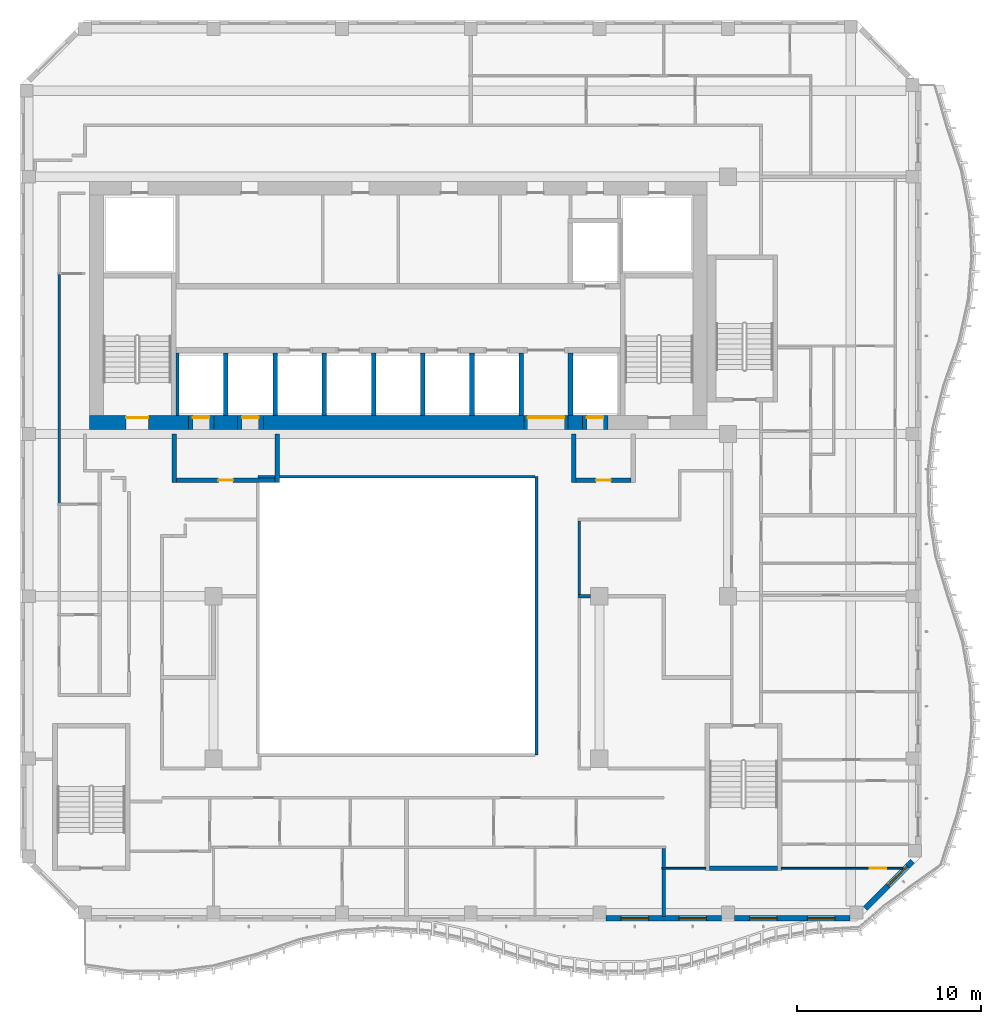
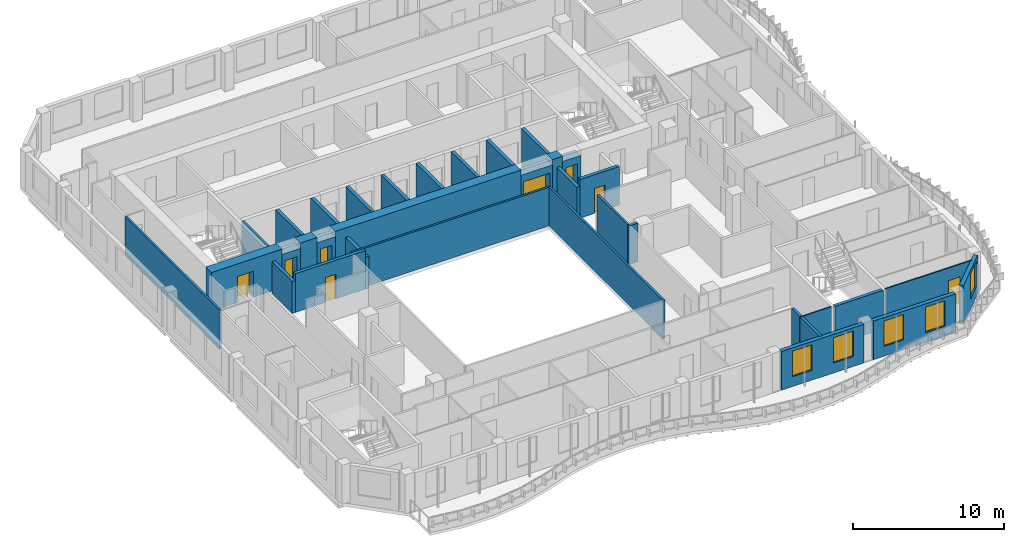
# One storey, part 4 of 18: 35 walls, 8 doors, 5 windows, 13 openings.
"""IFC4 building model written with IfcOpenShell, lengths in metres."""

from ifc_helpers import new_model, si_unit, direction, frame, frame_2d, origin, place, context, subcontext, project, spatial, rectangle, extrude, source, transform, mapped, material, layer, layer_set, type_object, element, fill, save


model = new_model("IFC4")

# Units and contexts
model_context = context("Model", 3, precision=1e-05, world=origin(), true_north=direction((0.0, 1.0)))
body_context = subcontext(model_context, "Body", "Model", "MODEL_VIEW")
ifc_project = project(units=[si_unit("LENGTHUNIT", "METRE"), si_unit("AREAUNIT", "SQUARE_METRE"), si_unit("VOLUMEUNIT", "CUBIC_METRE"), si_unit("PLANEANGLEUNIT", "RADIAN"), si_unit("MASSUNIT", "GRAM", prefix="KILO")], contexts=[model_context])

# Site, building, storey
site_placement = place(None, origin())
site = spatial("IfcSite", under=ifc_project, at=site_placement, CompositionType="ELEMENT")
building_placement = place(site_placement, origin())
building = spatial("IfcBuilding", under=site, at=building_placement, Name="Kilnfold Tower and Market Hall", CompositionType="ELEMENT")
storey_placement = place(building_placement, frame((0.0, 0.0, 249.199951171875)))
storey = spatial("IfcBuildingStorey", under=building, at=storey_placement, Name="L60", CompositionType="ELEMENT", Elevation=249.199951171875)

# Walls
ifc_material_1 = material(Name="Fire-resisting glazed screen")
ifc_layer_1 = layer(ifc_material_1, 0.14990234375)
ifc_layer_set_1 = layer_set([ifc_layer_1], Name="Fire-resisting glazed screen")
wall_type_1 = type_object("IfcWallType", Name="WALL ATRIUM 150", PredefinedType="PARTITIONING", material=ifc_layer_set_1)
wall_1_placement = place(storey_placement, frame((-6.574951171875, 5.675048828125, 0.0), z_axis=(0.0, 0.0, 1.0), x_axis=(1.0, 0.0, 0.0)))
element("IfcWall", 1, at=wall_1_placement, inside=storey, type_object=wall_type_1, Name="Partition LY37.109", PredefinedType="PARTITIONING", context=body_context, shape_type="SweptSolid", body=[
    extrude(rectangle(XDim=15.074951171875, YDim=0.14990234375, at=frame_2d((7.53759765625, 0.0))), origin(), (0.0, 0.0, 1.0), 3.1201171875),
])
wall_2_placement = place(storey_placement, frame((8.574951171875, 5.675048828125, 0.0), z_axis=(0.0, 0.0, 1.0), x_axis=(0.0, -1.0, 0.0)))
element("IfcWall", 2, at=wall_2_placement, inside=storey, type_object=wall_type_1, Name="Partition LY37.110", PredefinedType="PARTITIONING", context=body_context, shape_type="SweptSolid", body=[
    extrude(rectangle(XDim=15.150146484375, YDim=0.14990234375, at=frame_2d((7.5751953125, 0.0))), origin(), (0.0, 0.0, 1.0), 3.1201171875),
])
ifc_material_2 = material(Name="Gypsum board on steel studs", Category="steel")
ifc_layer_2 = layer(ifc_material_2, 0.14990234375)
ifc_layer_set_2 = layer_set([ifc_layer_2], Name="Gypsum board on steel studs")
wall_type_2 = type_object("IfcWallType", Name="WALL CORRIDOR 150", PredefinedType="PARTITIONING", material=ifc_layer_set_2)
wall_3_placement = place(storey_placement, frame((-17.39990234375, 4.214111328125, 0.0), z_axis=(0.0, 0.0, 1.0), x_axis=(0.0, 1.0, 0.0)))
element("IfcWall", 3, at=wall_3_placement, inside=storey, type_object=wall_type_2, Name="Partition LY37.4", PredefinedType="PARTITIONING", context=body_context, shape_type="SweptSolid", body=[
    extrude(rectangle(XDim=12.476806640625, YDim=0.14990234375, at=frame_2d((6.23828125, 0.0))), origin(), (0.0, 0.0, 1.0), 3.1201171875),
])
wall_4_placement = place(storey_placement, frame((10.89990234375, -0.742919921875, 0.0), z_axis=(0.0, 0.0, 1.0), x_axis=(0.0, 1.0, 0.0)))
element("IfcWall", 4, at=wall_4_placement, inside=storey, type_object=wall_type_2, Name="Partition LY37.49", PredefinedType="PARTITIONING", context=body_context, shape_type="SweptSolid", body=[
    extrude(rectangle(XDim=4.017822265625, YDim=0.14990234375, at=frame_2d((2.0087890625, 0.0))), origin(), (0.0, 0.0, 1.0), 3.1201171875),
])

# Wall, opening, door
ifc_material_3 = material(Name="Gypsum board on steel studs", Category="steel")
ifc_layer_3 = layer(ifc_material_3, 0.10009765625)
ifc_layer_set_3 = layer_set([ifc_layer_3], Name="Gypsum board on steel studs")
wall_type_3 = type_object("IfcWallType", Name="WALL PARTITION 100", PredefinedType="PARTITIONING", material=ifc_layer_set_3)
wall_5_placement = place(storey_placement, frame((21.89990234375, -15.6298828125, 0.0), z_axis=(0.0, 0.0, 1.0), x_axis=(1.0, 0.0, 0.0)))
wall_5 = element("IfcWall", 5, at=wall_5_placement, inside=storey, type_object=wall_type_3, Name="Partition LY37.70", PredefinedType="PARTITIONING", context=body_context, shape_type="SweptSolid", body=[
    extrude(rectangle(XDim=6.6162109375, YDim=0.10009765625, at=frame_2d((3.30810546875, 0.0))), origin(), (0.0, 0.0, 1.0), 3.1201171875),
])
opening_1_placement = place(wall_5_placement, frame((4.81396484375, 0.0, 0.0)))
opening_1 = element("IfcOpeningElement", 6, at=opening_1_placement, cuts=wall_5, Name="Opening D2", PredefinedType="OPENING", context=body_context, shape_type="SweptSolid", body=[
    extrude(rectangle(XDim=0.89990234375, YDim=2.10009765625, at=frame_2d((0.449951171875, 1.050048828125))), frame((0.0, 0.06005859375, 0.0), z_axis=(0.0, -1.0, 0.0), x_axis=(1.0, 0.0, 0.0)), (0.0, 0.0, 1.0), 0.1201171875),
])
ifc_material_4 = material(Name="Timber veneer door leaf in steel frame", Category="steel")
door_type_1 = type_object("IfcDoorType", Name="DOOR ROOM 900 X2100", OperationType="NOTDEFINED", PredefinedType="DOOR", material=ifc_material_4)
door_1_placement = place(opening_1_placement, origin())
door_1 = element("IfcDoor", 7, at=door_1_placement, inside=storey, type_object=door_type_1, Name="Door D2", OperationType="SINGLE_SWING_LEFT", OverallHeight=2.10009765625, OverallWidth=0.89990234375, PredefinedType="DOOR", context=body_context, shape_type="SweptSolid", body=[
    extrude(rectangle(XDim=0.89990234375, YDim=2.10009765625, at=frame_2d((0.449951171875, 1.050048828125))), frame((0.0, 0.02490234375, 0.0), z_axis=(0.0, -1.0, 0.0), x_axis=(1.0, 0.0, 0.0)), (0.0, 0.0, 1.0), 0.050048828125),
])
fill(opening_1, door_1)

# Walls
wall_6_placement = place(storey_placement, frame((15.39990234375, -15.6298828125, 0.0), z_axis=(0.0, 0.0, 1.0), x_axis=(1.0, 0.0, 0.0)))
element("IfcWall", 8, at=wall_6_placement, inside=storey, type_object=wall_type_3, Name="Partition LY37.71", PredefinedType="PARTITIONING", context=body_context, shape_type="SweptSolid", body=[
    extrude(rectangle(XDim=2.400146484375, YDim=0.10009765625, at=frame_2d((1.2001953125, 0.0))), origin(), (0.0, 0.0, 1.0), 3.1201171875),
])
ifc_material_5 = material(Name="Gypsum board on steel studs", Category="steel")
ifc_layer_4 = layer(ifc_material_5, 0.199951171875)
ifc_layer_set_4 = layer_set([ifc_layer_4], Name="Gypsum board on steel studs")
wall_type_4 = type_object("IfcWallType", Name="WALL PARTY 200", PredefinedType="PARTITIONING", material=ifc_layer_set_4)
wall_7_placement = place(storey_placement, frame((15.5, -18.25, 0.0), z_axis=(0.0, 0.0, 1.0), x_axis=(0.0, 1.0, 0.0)))
element("IfcWall", 9, at=wall_7_placement, inside=storey, type_object=wall_type_4, Name="Partition LY37.68", PredefinedType="PARTITIONING", context=body_context, shape_type="SweptSolid", body=[
    extrude(rectangle(XDim=2.580078125, YDim=0.199951171875, at=frame_2d((1.2900390625, 0.0))), origin(), (0.0, 0.0, 1.0), 3.1201171875),
])
wall_8_placement = place(storey_placement, frame((15.5, -15.590087890625, 0.0), z_axis=(0.0, 0.0, 1.0), x_axis=(0.0, 1.0, 0.0)))
element("IfcWall", 10, at=wall_8_placement, inside=storey, type_object=wall_type_4, Name="Partition LY37.69", PredefinedType="PARTITIONING", context=body_context, shape_type="SweptSolid", body=[
    extrude(rectangle(XDim=1.0380859375, YDim=0.199951171875, at=frame_2d((0.51904296875, 0.0))), origin(), (0.0, 0.0, 1.0), 3.1201171875),
])
wall_9_placement = place(storey_placement, frame((10.826904296875, -0.8330078125, 0.0), z_axis=(0.0, 0.0, 1.0), x_axis=(1.0, 0.0, 0.0)))
element("IfcWall", 11, at=wall_9_placement, inside=storey, type_object=wall_type_4, Name="Partition LY37.103", PredefinedType="PARTITIONING", context=body_context, shape_type="SweptSolid", body=[
    extrude(rectangle(XDim=0.697998046875, YDim=0.199951171875, at=frame_2d((0.34912109375, 0.0))), origin(), (0.0, 0.0, 1.0), 3.1201171875),
])
ifc_material_6 = material(Name="Concrete C60", Category="concrete")
ifc_layer_5 = layer(ifc_material_6, 0.25)
ifc_layer_set_5 = layer_set([ifc_layer_5], Name="Concrete C60")
wall_type_5 = type_object("IfcWallType", Name="CORE WALL 250 C60", PredefinedType="SHEAR", material=ifc_layer_set_5)
shared_shape_1 = source(origin(), body_context, "Body", "SweptSolid", [
    extrude(rectangle(XDim=3.699951171875, YDim=0.25, at=frame_2d((1.85009765625, 0.0))), origin(), (0.0, 0.0, 1.0), 3.1201171875),
])
wall_10_placement = place(storey_placement, frame((18.0, -15.625, 0.0), z_axis=(0.0, 0.0, 1.0), x_axis=(1.0, 0.0, 0.0)))
element("IfcWall", 12, at=wall_10_placement, inside=storey, type_object=wall_type_5, Name="Stair enclosure ST4", PredefinedType="SHEAR", context=body_context, shape_type="MappedRepresentation", body=[
    mapped(shared_shape_1, transform((0.0, 0.0, 0.0))),
])

# Wall, opening, door
ifc_material_7 = material(Name="Concrete C60", Category="concrete")
ifc_layer_6 = layer(ifc_material_7, 0.75)
ifc_layer_set_6 = layer_set([ifc_layer_6], Name="Concrete C60")
wall_type_6 = type_object("IfcWallType", Name="CORE WALL 750 C60", PredefinedType="SHEAR", material=ifc_layer_set_6)
shared_shape_2 = source(origin(), body_context, "Body", "SweptSolid", [
    extrude(rectangle(XDim=5.3798828125, YDim=0.75, at=frame_2d((2.68994140625, 0.0))), origin(), (0.0, 0.0, 1.0), 3.1201171875),
])
wall_11_placement = place(storey_placement, frame((-15.75, 8.625, 0.0), z_axis=(0.0, 0.0, 1.0), x_axis=(1.0, 0.0, 0.0)))
wall_11 = element("IfcWall", 13, at=wall_11_placement, inside=storey, type_object=wall_type_6, Name="Core outer wall south", PredefinedType="SHEAR", context=body_context, shape_type="MappedRepresentation", body=[
    mapped(shared_shape_2, transform((0.0, 0.0, 0.0))),
])
opening_2_placement = place(wall_11_placement, frame((2.0, 0.0, 0.0)))
opening_2 = element("IfcOpeningElement", 14, at=opening_2_placement, cuts=wall_11, Name="Opening SD1", PredefinedType="OPENING", context=body_context, shape_type="SweptSolid", body=[
    extrude(rectangle(XDim=1.199951171875, YDim=2.10009765625, at=frame_2d((0.60009765625, 1.050048828125))), frame((0.0, 0.385009765625, 0.0), z_axis=(0.0, -1.0, 0.0), x_axis=(1.0, 0.0, 0.0)), (0.0, 0.0, 1.0), 0.77001953125),
])
ifc_material_8 = material(Name="Steel door set with fire-resisting leaf", Category="steel")
door_type_2 = type_object("IfcDoorType", Name="STAIR FLOOR DOOR 1200X2100", OperationType="NOTDEFINED", PredefinedType="DOOR", material=ifc_material_8)
door_2_placement = place(opening_2_placement, origin())
door_2 = element("IfcDoor", 15, at=door_2_placement, inside=storey, type_object=door_type_2, Name="Exit stair ST1 door", OperationType="DOUBLE_DOOR_SINGLE_SWING", OverallHeight=2.10009765625, OverallWidth=1.199951171875, PredefinedType="DOOR", context=body_context, shape_type="SweptSolid", body=[
    extrude(rectangle(XDim=1.199951171875, YDim=2.10009765625, at=frame_2d((0.60009765625, 1.050048828125))), frame((0.0, 0.27978515625, 0.0), z_axis=(0.0, -1.0, 0.0), x_axis=(1.0, 0.0, 0.0)), (0.0, 0.0, 1.0), 0.050048828125),
])
fill(opening_2, door_2)

# Walls
shared_shape_3 = source(origin(), body_context, "Body", "SweptSolid", [
    extrude(rectangle(XDim=1.280029296875, YDim=0.75, at=frame_2d((0.64013671875, 0.0))), origin(), (0.0, 0.0, 1.0), 3.1201171875),
])
wall_12_placement = place(storey_placement, frame((-8.969970703125, 8.625, 0.0), z_axis=(0.0, 0.0, 1.0), x_axis=(1.0, 0.0, 0.0)))
element("IfcWall", 16, at=wall_12_placement, inside=storey, type_object=wall_type_6, Name="Core outer wall south", PredefinedType="SHEAR", context=body_context, shape_type="MappedRepresentation", body=[
    mapped(shared_shape_3, transform((0.0, 0.0, 0.0))),
])
shared_shape_4 = source(origin(), body_context, "Body", "SweptSolid", [
    extrude(rectangle(XDim=14.179931640625, YDim=0.75, at=frame_2d((7.08984375, 0.0))), origin(), (0.0, 0.0, 1.0), 3.1201171875),
])
wall_13_placement = place(storey_placement, frame((-6.2900390625, 8.625, 0.0), z_axis=(0.0, 0.0, 1.0), x_axis=(1.0, 0.0, 0.0)))
element("IfcWall", 17, at=wall_13_placement, inside=storey, type_object=wall_type_6, Name="Core outer wall south", PredefinedType="SHEAR", context=body_context, shape_type="MappedRepresentation", body=[
    mapped(shared_shape_4, transform((0.0, 0.0, 0.0))),
])
shared_shape_5 = source(origin(), body_context, "Body", "SweptSolid", [
    extrude(rectangle(XDim=0.780029296875, YDim=0.75, at=frame_2d((0.39013671875, 0.0))), origin(), (0.0, 0.0, 1.0), 3.1201171875),
])
wall_14_placement = place(storey_placement, frame((10.2900390625, 8.625, 0.0), z_axis=(0.0, 0.0, 1.0), x_axis=(1.0, 0.0, 0.0)))
element("IfcWall", 18, at=wall_14_placement, inside=storey, type_object=wall_type_6, Name="Core outer wall south", PredefinedType="SHEAR", context=body_context, shape_type="MappedRepresentation", body=[
    mapped(shared_shape_5, transform((0.0, 0.0, 0.0))),
])

# Wall, openings, windows
ifc_material_9 = material(Name="Precast concrete C50/60", Category="concrete")
ifc_layer_7 = layer(ifc_material_9, 0.300048828125)
ifc_layer_set_7 = layer_set([ifc_layer_7], Name="Precast concrete C50/60")
wall_type_7 = type_object("IfcWallType", Name="PRECAST WALL 300", PredefinedType="SOLIDWALL", material=ifc_layer_set_7)
shared_shape_6 = source(origin(), body_context, "Body", "SweptSolid", [
    extrude(rectangle(XDim=6.2998046875, YDim=0.300048828125, at=frame_2d((3.14990234375, 0.0))), origin(), (0.0, 0.0, 1.0), 3.1201171875),
])
wall_15_placement = place(storey_placement, frame((12.35009765625, -18.35009765625, 0.0), z_axis=(0.0, 0.0, 1.0), x_axis=(1.0, 0.0, 0.0)))
wall_15 = element("IfcWall", 19, at=wall_15_placement, inside=storey, type_object=wall_type_7, Name="External wall L60 S", PredefinedType="SOLIDWALL", context=body_context, shape_type="MappedRepresentation", body=[
    mapped(shared_shape_6, transform((0.0, 0.0, 0.0))),
])
opening_3_placement = place(wall_15_placement, frame((0.824951171875, 0.0, 0.800048828125)))
opening_3 = element("IfcOpeningElement", 20, at=opening_3_placement, cuts=wall_15, Name="Opening W5", PredefinedType="OPENING", context=body_context, shape_type="SweptSolid", body=[
    extrude(rectangle(XDim=1.5, YDim=2.050048828125, at=frame_2d((0.75, 1.02490234375))), frame((0.0, 0.16015625, 0.0), z_axis=(0.0, -1.0, 0.0), x_axis=(1.0, 0.0, 0.0)), (0.0, 0.0, 1.0), 0.320068359375),
])
opening_4_placement = place(wall_15_placement, frame((3.97509765625, 0.0, 0.800048828125)))
opening_4 = element("IfcOpeningElement", 21, at=opening_4_placement, cuts=wall_15, Name="Opening W5", PredefinedType="OPENING", context=body_context, shape_type="SweptSolid", body=[
    extrude(rectangle(XDim=1.5, YDim=2.050048828125, at=frame_2d((0.75, 1.02490234375))), frame((0.0, 0.16015625, 0.0), z_axis=(0.0, -1.0, 0.0), x_axis=(1.0, 0.0, 0.0)), (0.0, 0.0, 1.0), 0.320068359375),
])
ifc_material_10 = material(Name="Aluminium frame and double glazing", Category="aluminium")
window_type = type_object("IfcWindowType", Name="WINDOW W5 1500X2050", PartitioningType="SINGLE_PANEL", PredefinedType="WINDOW", material=ifc_material_10)
window_1_placement = place(opening_3_placement, origin())
window_1 = element("IfcWindow", 22, at=window_1_placement, inside=storey, type_object=window_type, Name="Window W5 L60 S-1", OverallHeight=2.050048828125, OverallWidth=1.5, PartitioningType="SINGLE_PANEL", PredefinedType="WINDOW", context=body_context, shape_type="SweptSolid", body=[
    extrude(rectangle(XDim=1.5, YDim=2.050048828125, at=frame_2d((0.75, 1.02490234375))), frame((0.0, 0.030029296875, 0.0), z_axis=(0.0, -1.0, 0.0), x_axis=(1.0, 0.0, 0.0)), (0.0, 0.0, 1.0), 0.06005859375),
])
fill(opening_3, window_1)
window_2_placement = place(opening_4_placement, origin())
window_2 = element("IfcWindow", 23, at=window_2_placement, inside=storey, type_object=window_type, Name="Window W5 L60 S-2", OverallHeight=2.050048828125, OverallWidth=1.5, PartitioningType="SINGLE_PANEL", PredefinedType="WINDOW", context=body_context, shape_type="SweptSolid", body=[
    extrude(rectangle(XDim=1.5, YDim=2.050048828125, at=frame_2d((0.75, 1.02490234375))), frame((0.0, 0.030029296875, 0.0), z_axis=(0.0, -1.0, 0.0), x_axis=(1.0, 0.0, 0.0)), (0.0, 0.0, 1.0), 0.06005859375),
])
fill(opening_4, window_2)

wall_16_placement = place(storey_placement, frame((19.35009765625, -18.35009765625, 0.0), z_axis=(0.0, 0.0, 1.0), x_axis=(1.0, 0.0, 0.0)))
wall_16 = element("IfcWall", 24, at=wall_16_placement, inside=storey, type_object=wall_type_7, Name="External wall L60 S", PredefinedType="SOLIDWALL", context=body_context, shape_type="MappedRepresentation", body=[
    mapped(shared_shape_6, transform((0.0, 0.0, 0.0))),
])
opening_5_placement = place(wall_16_placement, frame((0.824951171875, 0.0, 0.800048828125)))
opening_5 = element("IfcOpeningElement", 25, at=opening_5_placement, cuts=wall_16, Name="Opening W5", PredefinedType="OPENING", context=body_context, shape_type="SweptSolid", body=[
    extrude(rectangle(XDim=1.5, YDim=2.050048828125, at=frame_2d((0.75, 1.02490234375))), frame((0.0, 0.16015625, 0.0), z_axis=(0.0, -1.0, 0.0), x_axis=(1.0, 0.0, 0.0)), (0.0, 0.0, 1.0), 0.320068359375),
])
opening_6_placement = place(wall_16_placement, frame((3.97509765625, 0.0, 0.800048828125)))
opening_6 = element("IfcOpeningElement", 26, at=opening_6_placement, cuts=wall_16, Name="Opening W5", PredefinedType="OPENING", context=body_context, shape_type="SweptSolid", body=[
    extrude(rectangle(XDim=1.5, YDim=2.050048828125, at=frame_2d((0.75, 1.02490234375))), frame((0.0, 0.16015625, 0.0), z_axis=(0.0, -1.0, 0.0), x_axis=(1.0, 0.0, 0.0)), (0.0, 0.0, 1.0), 0.320068359375),
])
window_3_placement = place(opening_5_placement, origin())
window_3 = element("IfcWindow", 27, at=window_3_placement, inside=storey, type_object=window_type, Name="Window W5 L60 S-1", OverallHeight=2.050048828125, OverallWidth=1.5, PartitioningType="SINGLE_PANEL", PredefinedType="WINDOW", context=body_context, shape_type="SweptSolid", body=[
    extrude(rectangle(XDim=1.5, YDim=2.050048828125, at=frame_2d((0.75, 1.02490234375))), frame((0.0, 0.030029296875, 0.0), z_axis=(0.0, -1.0, 0.0), x_axis=(1.0, 0.0, 0.0)), (0.0, 0.0, 1.0), 0.06005859375),
])
fill(opening_5, window_3)
window_4_placement = place(opening_6_placement, origin())
window_4 = element("IfcWindow", 28, at=window_4_placement, inside=storey, type_object=window_type, Name="Window W5 L60 S-2", OverallHeight=2.050048828125, OverallWidth=1.5, PartitioningType="SINGLE_PANEL", PredefinedType="WINDOW", context=body_context, shape_type="SweptSolid", body=[
    extrude(rectangle(XDim=1.5, YDim=2.050048828125, at=frame_2d((0.75, 1.02490234375))), frame((0.0, 0.030029296875, 0.0), z_axis=(0.0, -1.0, 0.0), x_axis=(1.0, 0.0, 0.0)), (0.0, 0.0, 1.0), 0.06005859375),
])
fill(opening_6, window_4)

# Wall, opening, window
shared_shape_7 = source(origin(), body_context, "Body", "SweptSolid", [
    extrude(rectangle(XDim=3.6416015625, YDim=0.300048828125, at=frame_2d((1.82080078125, 0.0))), origin(), (0.0, 0.0, 1.0), 3.1201171875),
])
wall_17_placement = place(storey_placement, frame((26.468994140625, -17.81884765625, 0.0), z_axis=(0.0, 0.0, 1.0), x_axis=(0.707106781187, 0.707106781187, 0.0)))
wall_17 = element("IfcWall", 29, at=wall_17_placement, inside=storey, type_object=wall_type_7, Name="External wall L60 SE", PredefinedType="SOLIDWALL", context=body_context, shape_type="MappedRepresentation", body=[
    mapped(shared_shape_7, transform((0.0, 0.0, 0.0))),
])
opening_7_placement = place(wall_17_placement, frame((1.75, 0.0, 0.800048828125)))
opening_7 = element("IfcOpeningElement", 30, at=opening_7_placement, cuts=wall_17, Name="Opening W5", PredefinedType="OPENING", context=body_context, shape_type="SweptSolid", body=[
    extrude(rectangle(XDim=1.5, YDim=2.050048828125, at=frame_2d((0.75, 1.02490234375))), frame((0.0, 0.16015625, 0.0), z_axis=(0.0, -1.0, 0.0), x_axis=(1.0, 0.0, 0.0)), (0.0, 0.0, 1.0), 0.320068359375),
])
window_5_placement = place(opening_7_placement, origin())
window_5 = element("IfcWindow", 31, at=window_5_placement, inside=storey, type_object=window_type, Name="Window W5 L60 SE-1", OverallHeight=2.050048828125, OverallWidth=1.5, PartitioningType="SINGLE_PANEL", PredefinedType="WINDOW", context=body_context, shape_type="SweptSolid", body=[
    extrude(rectangle(XDim=1.5, YDim=2.050048828125, at=frame_2d((0.75, 1.02490234375))), frame((0.0, 0.030029296875, 0.0), z_axis=(0.0, -1.0, 0.0), x_axis=(1.0, 0.0, 0.0)), (0.0, 0.0, 1.0), 0.06005859375),
])
fill(opening_7, window_5)

# Wall, opening, door
ifc_material_11 = material(Name="Gypsum shaft wall system")
ifc_layer_8 = layer(ifc_material_11, 0.25)
ifc_layer_set_8 = layer_set([ifc_layer_8], Name="Gypsum shaft wall system")
wall_type_8 = type_object("IfcWallType", Name="LOBBY WALL 250", PredefinedType="PARTITIONING", material=ifc_layer_set_8)
shared_shape_8 = source(origin(), body_context, "Body", "SweptSolid", [
    extrude(rectangle(XDim=5.360107421875, YDim=0.25, at=frame_2d((2.68017578125, 0.0))), origin(), (0.0, 0.0, 1.0), 3.1201171875),
])
wall_18_placement = place(storey_placement, frame((-11.010009765625, 5.47509765625, 0.0), z_axis=(0.0, 0.0, 1.0), x_axis=(1.0, 0.0, 0.0)))
wall_18 = element("IfcWall", 32, at=wall_18_placement, inside=storey, type_object=wall_type_8, Name="Firefighting lobby wall", PredefinedType="PARTITIONING", context=body_context, shape_type="MappedRepresentation", body=[
    mapped(shared_shape_8, transform((0.0, 0.0, 0.0))),
])
opening_8_placement = place(wall_18_placement, frame((2.280029296875, 0.0, 0.0)))
opening_8 = element("IfcOpeningElement", 33, at=opening_8_placement, cuts=wall_18, Name="Opening VD1", PredefinedType="OPENING", context=body_context, shape_type="SweptSolid", body=[
    extrude(rectangle(XDim=0.800048828125, YDim=2.0, at=frame_2d((0.39990234375, 1.0))), frame((0.0, 0.135009765625, 0.0), z_axis=(0.0, -1.0, 0.0), x_axis=(1.0, 0.0, 0.0)), (0.0, 0.0, 1.0), 0.27001953125),
])
ifc_material_12 = material(Name="Steel door set with fire-resisting leaf", Category="steel")
door_type_3 = type_object("IfcDoorType", Name="FIREFIGHTING LOBBY DOOR 800X2000", OperationType="NOTDEFINED", PredefinedType="DOOR", material=ifc_material_12)
door_3_placement = place(opening_8_placement, origin())
door_3 = element("IfcDoor", 34, at=door_3_placement, inside=storey, type_object=door_type_3, Name="Firefighting lobby door", OperationType="SINGLE_SWING_LEFT", OverallHeight=2.0, OverallWidth=0.800048828125, PredefinedType="DOOR", context=body_context, shape_type="SweptSolid", body=[
    extrude(rectangle(XDim=0.800048828125, YDim=2.0, at=frame_2d((0.39990234375, 1.0))), frame((0.0, 0.02490234375, 0.0), z_axis=(0.0, -1.0, 0.0), x_axis=(1.0, 0.0, 0.0)), (0.0, 0.0, 1.0), 0.050048828125),
])
fill(opening_8, door_3)

shared_shape_9 = source(origin(), body_context, "Body", "SweptSolid", [
    extrude(rectangle(XDim=3.0, YDim=0.25, at=frame_2d((1.5, 0.0))), origin(), (0.0, 0.0, 1.0), 3.1201171875),
])
wall_19_placement = place(storey_placement, frame((10.72998046875, 5.47509765625, 0.0), z_axis=(0.0, 0.0, 1.0), x_axis=(1.0, 0.0, 0.0)))
wall_19 = element("IfcWall", 35, at=wall_19_placement, inside=storey, type_object=wall_type_8, Name="Firefighting lobby wall", PredefinedType="PARTITIONING", context=body_context, shape_type="MappedRepresentation", body=[
    mapped(shared_shape_9, transform((0.0, 0.0, 0.0))),
])
opening_9_placement = place(wall_19_placement, frame((1.10009765625, 0.0, 0.0)))
opening_9 = element("IfcOpeningElement", 36, at=opening_9_placement, cuts=wall_19, Name="Opening VD1", PredefinedType="OPENING", context=body_context, shape_type="SweptSolid", body=[
    extrude(rectangle(XDim=0.800048828125, YDim=2.0, at=frame_2d((0.39990234375, 1.0))), frame((0.0, 0.135009765625, 0.0), z_axis=(0.0, -1.0, 0.0), x_axis=(1.0, 0.0, 0.0)), (0.0, 0.0, 1.0), 0.27001953125),
])
door_4_placement = place(opening_9_placement, origin())
door_4 = element("IfcDoor", 37, at=door_4_placement, inside=storey, type_object=door_type_3, Name="Firefighting lobby door", OperationType="SINGLE_SWING_RIGHT", OverallHeight=2.0, OverallWidth=0.800048828125, PredefinedType="DOOR", context=body_context, shape_type="SweptSolid", body=[
    extrude(rectangle(XDim=0.800048828125, YDim=2.0, at=frame_2d((0.39990234375, 1.0))), frame((0.0, 0.02490234375, 0.0), z_axis=(0.0, -1.0, 0.0), x_axis=(1.0, 0.0, 0.0)), (0.0, 0.0, 1.0), 0.050048828125),
])
fill(opening_9, door_4)

# Walls
ifc_material_13 = material(Name="Gypsum shaft wall system")
ifc_layer_9 = layer(ifc_material_13, 0.25)
ifc_layer_set_9 = layer_set([ifc_layer_9], Name="Gypsum shaft wall system")
wall_type_9 = type_object("IfcWallType", Name="SHAFT WALL 250", PredefinedType="PARTITIONING", material=ifc_layer_set_9)
shared_shape_10 = source(origin(), body_context, "Body", "SweptSolid", [
    extrude(rectangle(XDim=3.39990234375, YDim=0.25, at=frame_2d((1.699951171875, 0.0))), origin(), (0.0, 0.0, 1.0), 3.1201171875),
])
for number, where, z_axis, x_axis, name in (
    (38, (10.429931640625, 9.0, 0.0), (0.0, 0.0, 1.0), (0.0, 1.0, 0.0), "Lift shaft wall"),
    (39, (2.389892578125, 9.0, 0.0), (0.0, 0.0, 1.0), (0.0, 1.0, 0.0), "Lift shaft wall"),
    (40, (5.070068359375, 9.0, 0.0), (0.0, 0.0, 1.0), (0.0, 1.0, 0.0), "Lift shaft wall"),
    (41, (7.75, 9.0, 0.0), (0.0, 0.0, 1.0), (0.0, 1.0, 0.0), "Lift shaft wall"),
    (42, (-0.2900390625, 9.0, 0.0), (0.0, 0.0, 1.0), (0.0, 1.0, 0.0), "Lift shaft wall"),
    (43, (-2.969970703125, 9.0, 0.0), (0.0, 0.0, 1.0), (0.0, 1.0, 0.0), "Lift shaft wall"),
    (44, (-5.64990234375, 9.0, 0.0), (0.0, 0.0, 1.0), (0.0, 1.0, 0.0), "Lift shaft wall"),
    (45, (-8.330078125, 9.0, 0.0), (0.0, 0.0, 1.0), (0.0, 1.0, 0.0), "Lift shaft wall"),
):
    element("IfcWall", number, at=place(storey_placement, frame(where, z_axis=z_axis, x_axis=x_axis)), inside=storey, type_object=wall_type_9, Name=name, PredefinedType="PARTITIONING", context=body_context, shape_type="MappedRepresentation", body=[
        mapped(shared_shape_10, transform((0.0, 0.0, 0.0))),
    ])
ifc_material_14 = material(Name="Gypsum shaft wall system")
ifc_layer_10 = layer(ifc_material_14, 0.1650390625)
ifc_layer_set_10 = layer_set([ifc_layer_10], Name="Gypsum shaft wall system")
wall_type_10 = type_object("IfcWallType", Name="SHAFT WALL 165", PredefinedType="PARTITIONING", material=ifc_layer_set_10)
shared_shape_11 = source(origin(), body_context, "Body", "SweptSolid", [
    extrude(rectangle(XDim=3.39990234375, YDim=0.1650390625, at=frame_2d((1.699951171875, 0.0))), origin(), (0.0, 0.0, 1.0), 3.1201171875),
])
wall_20_placement = place(storey_placement, frame((-10.967529296875, 9.0, 0.0), z_axis=(0.0, 0.0, 1.0), x_axis=(0.0, 1.0, 0.0)))
element("IfcWall", 46, at=wall_20_placement, inside=storey, type_object=wall_type_10, Name="Lift shaft wall", PredefinedType="PARTITIONING", context=body_context, shape_type="MappedRepresentation", body=[
    mapped(shared_shape_11, transform((0.0, 0.0, 0.0))),
])

# Wall, opening, door
ifc_material_15 = material(Name="Gypsum shaft wall system")
ifc_layer_11 = layer(ifc_material_15, 0.75)
ifc_layer_set_11 = layer_set([ifc_layer_11], Name="Gypsum shaft wall system")
wall_type_11 = type_object("IfcWallType", Name="LOBBY WALL 750", PredefinedType="PARTITIONING", material=ifc_layer_set_11)
shared_shape_12 = source(origin(), body_context, "Body", "SweptSolid", [
    extrude(rectangle(XDim=1.400146484375, YDim=0.75, at=frame_2d((0.7001953125, 0.0))), origin(), (0.0, 0.0, 1.0), 2.699951171875),
])
wall_21_placement = place(storey_placement, frame((-10.3701171875, 8.625, 0.0), z_axis=(0.0, 0.0, 1.0), x_axis=(1.0, 0.0, 0.0)))
wall_21 = element("IfcWall", 47, at=wall_21_placement, inside=storey, type_object=wall_type_11, Name="Core wall infill", PredefinedType="PARTITIONING", context=body_context, shape_type="MappedRepresentation", body=[
    mapped(shared_shape_12, transform((0.0, 0.0, 0.0))),
])
opening_10_placement = place(wall_21_placement, frame((0.25, 0.0, 0.0)))
opening_10 = element("IfcOpeningElement", 48, at=opening_10_placement, cuts=wall_21, Name="Opening LD1", PredefinedType="OPENING", context=body_context, shape_type="SweptSolid", body=[
    extrude(rectangle(XDim=0.89990234375, YDim=2.10009765625, at=frame_2d((0.449951171875, 1.050048828125))), frame((0.0, 0.385009765625, 0.0), z_axis=(0.0, -1.0, 0.0), x_axis=(1.0, 0.0, 0.0)), (0.0, 0.0, 1.0), 0.77001953125),
])
ifc_material_16 = material(Name="Steel door set with fire-resisting leaf", Category="steel")
door_type_4 = type_object("IfcDoorType", Name="FIREFIGHTING LANDING DOOR 900X2100", OperationType="NOTDEFINED", PredefinedType="DOOR", material=ifc_material_16)
door_5_placement = place(opening_10_placement, origin())
door_5 = element("IfcDoor", 49, at=door_5_placement, inside=storey, type_object=door_type_4, Name="Landing door FF1", OperationType="SLIDING_TO_LEFT", OverallHeight=2.10009765625, OverallWidth=0.89990234375, PredefinedType="DOOR", context=body_context, shape_type="SweptSolid", body=[
    extrude(rectangle(XDim=0.89990234375, YDim=2.10009765625, at=frame_2d((0.449951171875, 1.050048828125))), frame((0.0, 0.27978515625, 0.0), z_axis=(0.0, -1.0, 0.0), x_axis=(1.0, 0.0, 0.0)), (0.0, 0.0, 1.0), 0.050048828125),
])
fill(opening_10, door_5)

shared_shape_13 = source(origin(), body_context, "Body", "SweptSolid", [
    extrude(rectangle(XDim=1.39990234375, YDim=0.75, at=frame_2d((0.699951171875, 0.0))), origin(), (0.0, 0.0, 1.0), 2.699951171875),
])
wall_22_placement = place(storey_placement, frame((-7.68994140625, 8.625, 0.0), z_axis=(0.0, 0.0, 1.0), x_axis=(1.0, 0.0, 0.0)))
wall_22 = element("IfcWall", 50, at=wall_22_placement, inside=storey, type_object=wall_type_11, Name="Core wall infill", PredefinedType="PARTITIONING", context=body_context, shape_type="MappedRepresentation", body=[
    mapped(shared_shape_13, transform((0.0, 0.0, 0.0))),
])
opening_11_placement = place(wall_22_placement, frame((0.25, 0.0, 0.0)))
opening_11 = element("IfcOpeningElement", 51, at=opening_11_placement, cuts=wall_22, Name="Opening LD1", PredefinedType="OPENING", context=body_context, shape_type="SweptSolid", body=[
    extrude(rectangle(XDim=0.89990234375, YDim=2.10009765625, at=frame_2d((0.449951171875, 1.050048828125))), frame((0.0, 0.385009765625, 0.0), z_axis=(0.0, -1.0, 0.0), x_axis=(1.0, 0.0, 0.0)), (0.0, 0.0, 1.0), 0.77001953125),
])
door_6_placement = place(opening_11_placement, origin())
door_6 = element("IfcDoor", 52, at=door_6_placement, inside=storey, type_object=door_type_4, Name="Landing door FF2", OperationType="SLIDING_TO_RIGHT", OverallHeight=2.10009765625, OverallWidth=0.89990234375, PredefinedType="DOOR", context=body_context, shape_type="SweptSolid", body=[
    extrude(rectangle(XDim=0.89990234375, YDim=2.10009765625, at=frame_2d((0.449951171875, 1.050048828125))), frame((0.0, 0.27978515625, 0.0), z_axis=(0.0, -1.0, 0.0), x_axis=(1.0, 0.0, 0.0)), (0.0, 0.0, 1.0), 0.050048828125),
])
fill(opening_11, door_6)

wall_23_placement = place(storey_placement, frame((11.070068359375, 8.625, 0.0), z_axis=(0.0, 0.0, 1.0), x_axis=(1.0, 0.0, 0.0)))
wall_23 = element("IfcWall", 53, at=wall_23_placement, inside=storey, type_object=wall_type_11, Name="Core wall infill", PredefinedType="PARTITIONING", context=body_context, shape_type="MappedRepresentation", body=[
    mapped(shared_shape_13, transform((0.0, 0.0, 0.0))),
])
opening_12_placement = place(wall_23_placement, frame((0.25, 0.0, 0.0)))
opening_12 = element("IfcOpeningElement", 54, at=opening_12_placement, cuts=wall_23, Name="Opening LD1", PredefinedType="OPENING", context=body_context, shape_type="SweptSolid", body=[
    extrude(rectangle(XDim=0.89990234375, YDim=2.10009765625, at=frame_2d((0.449951171875, 1.050048828125))), frame((0.0, 0.385009765625, 0.0), z_axis=(0.0, -1.0, 0.0), x_axis=(1.0, 0.0, 0.0)), (0.0, 0.0, 1.0), 0.77001953125),
])
door_7_placement = place(opening_12_placement, origin())
door_7 = element("IfcDoor", 55, at=door_7_placement, inside=storey, type_object=door_type_4, Name="Landing door FF3", OperationType="SLIDING_TO_LEFT", OverallHeight=2.10009765625, OverallWidth=0.89990234375, PredefinedType="DOOR", context=body_context, shape_type="SweptSolid", body=[
    extrude(rectangle(XDim=0.89990234375, YDim=2.10009765625, at=frame_2d((0.449951171875, 1.050048828125))), frame((0.0, 0.27978515625, 0.0), z_axis=(0.0, -1.0, 0.0), x_axis=(1.0, 0.0, 0.0)), (0.0, 0.0, 1.0), 0.050048828125),
])
fill(opening_12, door_7)

shared_shape_14 = source(origin(), body_context, "Body", "SweptSolid", [
    extrude(rectangle(XDim=2.400146484375, YDim=0.75, at=frame_2d((1.2001953125, 0.0))), origin(), (0.0, 0.0, 1.0), 2.699951171875),
])
wall_24_placement = place(storey_placement, frame((7.889892578125, 8.625, 0.0), z_axis=(0.0, 0.0, 1.0), x_axis=(1.0, 0.0, 0.0)))
wall_24 = element("IfcWall", 56, at=wall_24_placement, inside=storey, type_object=wall_type_11, Name="Core wall infill", PredefinedType="PARTITIONING", context=body_context, shape_type="MappedRepresentation", body=[
    mapped(shared_shape_14, transform((0.0, 0.0, 0.0))),
])
opening_13_placement = place(wall_24_placement, frame((0.199951171875, 0.0, 0.0)))
opening_13 = element("IfcOpeningElement", 57, at=opening_13_placement, cuts=wall_24, Name="Opening VD2", PredefinedType="OPENING", context=body_context, shape_type="SweptSolid", body=[
    extrude(rectangle(XDim=2.0, YDim=2.10009765625, at=frame_2d((1.0, 1.050048828125))), frame((0.0, 0.385009765625, 0.0), z_axis=(0.0, -1.0, 0.0), x_axis=(1.0, 0.0, 0.0)), (0.0, 0.0, 1.0), 0.77001953125),
])
ifc_material_17 = material(Name="Steel door set with fire-resisting leaf", Category="steel")
door_type_5 = type_object("IfcDoorType", Name="LIFT LOBBY ENTRANCE DOOR 2000X2100", OperationType="NOTDEFINED", PredefinedType="DOOR", material=ifc_material_17)
door_8_placement = place(opening_13_placement, origin())
door_8 = element("IfcDoor", 58, at=door_8_placement, inside=storey, type_object=door_type_5, Name="Lift lobby entrance door", OperationType="DOUBLE_DOOR_SINGLE_SWING", OverallHeight=2.10009765625, OverallWidth=2.0, PredefinedType="DOOR", context=body_context, shape_type="SweptSolid", body=[
    extrude(rectangle(XDim=2.0, YDim=2.10009765625, at=frame_2d((1.0, 1.050048828125))), frame((0.0, 0.27978515625, 0.0), z_axis=(0.0, -1.0, 0.0), x_axis=(1.0, 0.0, 0.0)), (0.0, 0.0, 1.0), 0.050048828125),
])
fill(opening_13, door_8)

# Walls
shared_shape_15 = source(origin(), body_context, "Body", "SweptSolid", [
    extrude(rectangle(XDim=2.64990234375, YDim=0.25, at=frame_2d((1.324951171875, 0.0))), origin(), (0.0, 0.0, 1.0), 2.570068359375),
])
for number, where, z_axis, x_axis, name in (
    (59, (-11.135009765625, 5.35009765625, 0.0), (0.0, 0.0, 1.0), (0.0, 1.0, 0.0), "Firefighting lobby wall"),
    (60, (-5.52490234375, 5.35009765625, 0.0), (0.0, 0.0, 1.0), (0.0, 1.0, 0.0), "Firefighting lobby wall"),
    (61, (10.60498046875, 5.35009765625, 0.0), (0.0, 0.0, 1.0), (0.0, 1.0, 0.0), "Firefighting lobby wall"),
):
    element("IfcWall", number, at=place(storey_placement, frame(where, z_axis=z_axis, x_axis=x_axis)), inside=storey, type_object=wall_type_8, Name=name, PredefinedType="PARTITIONING", context=body_context, shape_type="MappedRepresentation", body=[
        mapped(shared_shape_15, transform((0.0, 0.0, 0.0))),
    ])

save(model, "model.ifc")
